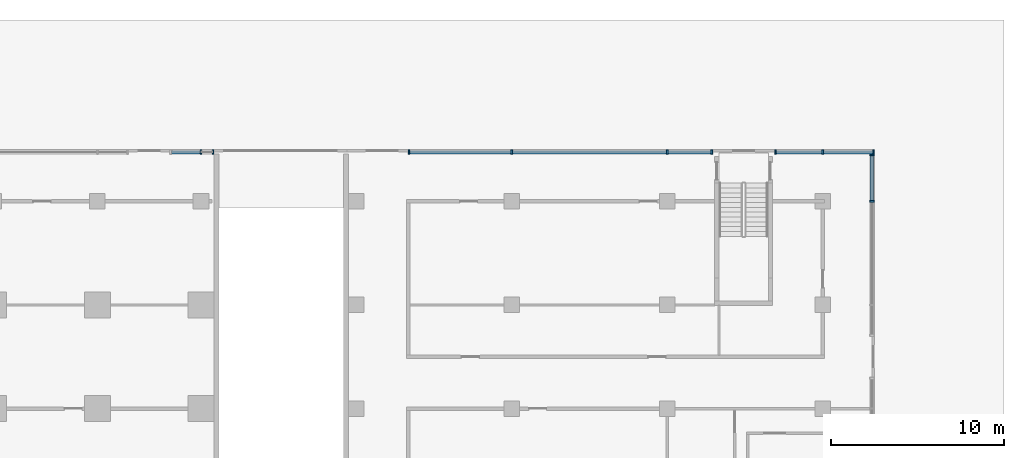
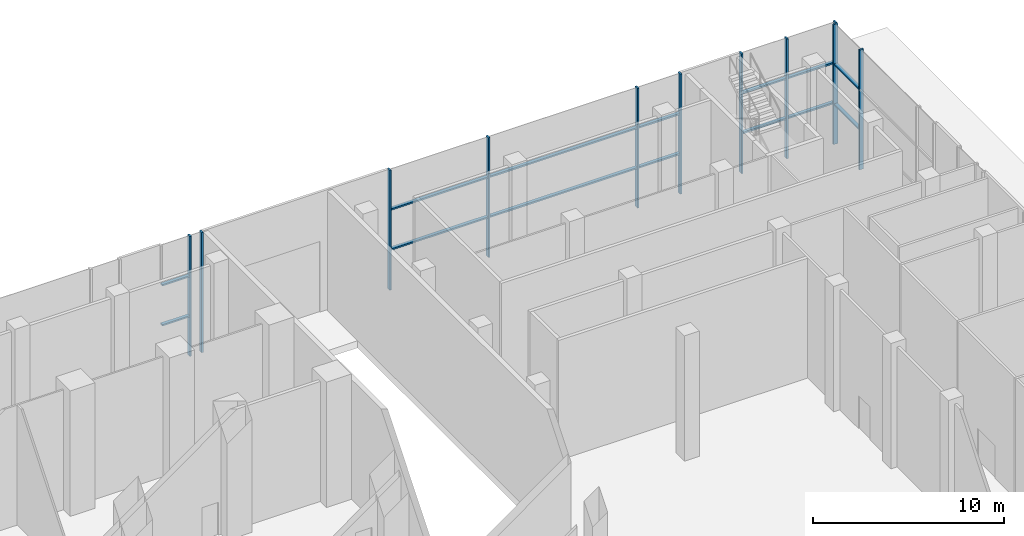
# One storey, part 8 of 29: 25 members, 4 elements without a shape of their own.
"""IFC4 building model written with IfcOpenShell, lengths in metres."""

from ifc_helpers import new_model, si_unit, direction, frame, origin, origin_2d, place, context, subcontext, project, spatial, rectangle, extrude, material, material_profile, profile_set, type_object, element, aggregate, save


model = new_model("IFC4")

# Units and contexts
model_context = context("Model", 3, precision=1e-05, world=origin(), true_north=direction((0.0, 1.0)))
body_context = subcontext(model_context, "Body", "Model", "MODEL_VIEW")
ifc_project = project(units=[si_unit("LENGTHUNIT", "METRE"), si_unit("AREAUNIT", "SQUARE_METRE"), si_unit("VOLUMEUNIT", "CUBIC_METRE"), si_unit("PLANEANGLEUNIT", "RADIAN"), si_unit("MASSUNIT", "GRAM", prefix="KILO")], contexts=[model_context])

# Site, building, storey
site_placement = place(None, origin())
site = spatial("IfcSite", under=ifc_project, at=site_placement, CompositionType="ELEMENT")
building_placement = place(site_placement, origin())
building = spatial("IfcBuilding", under=site, at=building_placement, Name="Finial Court Residences", CompositionType="ELEMENT")
storey_placement = place(building_placement, origin())
storey = spatial("IfcBuildingStorey", under=building, at=storey_placement, Name="L00", CompositionType="ELEMENT", Elevation=0.0)

# Curtain wall, members
ifc_material = material(Name="Bronze anodised aluminium", Category="aluminium")
curtain_wall_type = type_object("IfcCurtainWallType", Name="Podium shopfront", PredefinedType="NOTDEFINED", material=ifc_material)
curtain_wall_1_placement = place(storey_placement, origin())
curtain_wall_1 = element("IfcCurtainWall", 1, at=curtain_wall_1_placement, inside=storey, type_object=curtain_wall_type, Name="E-L00-CW-N6", PredefinedType="NOTDEFINED")
ifc_material_profile_1 = material_profile(ifc_material, rectangle(XDim=0.25, YDim=0.10009765625, at=origin_2d()), Name="CW4 mullion 100 x 250")
ifc_profile_set_1 = profile_set([ifc_material_profile_1], Name="Bronze anodised aluminium")
member_type_1 = type_object("IfcMemberType", Name="CW4 mullion 100 x 250", PredefinedType="MULLION", material=ifc_profile_set_1)
member_1_placement = place(storey_placement, frame((22.5, 34.35009765625, 0.0), z_axis=(0.0, 0.0, 1.0), x_axis=(0.0, 1.0, 0.0)))
member_1 = element("IfcMember", 2, at=member_1_placement, type_object=member_type_1, Name="CW4 mullion 2", PredefinedType="MULLION", context=body_context, shape_type="SweptSolid", body=[
    extrude(rectangle(XDim=0.25, YDim=0.10009765625, at=origin_2d()), origin(), (0.0, 0.0, 1.0), 7.64990234375),
])
member_2_placement = place(storey_placement, frame((23.199951171875, 34.35009765625, 0.0), z_axis=(0.0, 0.0, 1.0), x_axis=(0.0, 1.0, 0.0)))
member_2 = element("IfcMember", 3, at=member_2_placement, type_object=member_type_1, Name="CW4 mullion 3", PredefinedType="MULLION", context=body_context, shape_type="SweptSolid", body=[
    extrude(rectangle(XDim=0.25, YDim=0.10009765625, at=origin_2d()), origin(), (0.0, 0.0, 1.0), 7.64990234375),
])

curtain_wall_2_placement = place(storey_placement, origin())
curtain_wall_2 = element("IfcCurtainWall", 4, at=curtain_wall_2_placement, inside=storey, type_object=curtain_wall_type, Name="E-L00-CW-N7", PredefinedType="NOTDEFINED")
member_3_placement = place(storey_placement, frame((34.550048828125, 34.35009765625, 0.0), z_axis=(0.0, 0.0, 1.0), x_axis=(0.0, 1.0, 0.0)))
member_3 = element("IfcMember", 5, at=member_3_placement, type_object=member_type_1, Name="CW4 mullion 1", PredefinedType="MULLION", context=body_context, shape_type="SweptSolid", body=[
    extrude(rectangle(XDim=0.25, YDim=0.10009765625, at=origin_2d()), origin(), (0.0, 0.0, 1.0), 7.64990234375),
])
member_4_placement = place(storey_placement, frame((40.5, 34.35009765625, 0.0), z_axis=(0.0, 0.0, 1.0), x_axis=(0.0, 1.0, 0.0)))
member_4 = element("IfcMember", 6, at=member_4_placement, type_object=member_type_1, Name="CW4 mullion 2", PredefinedType="MULLION", context=body_context, shape_type="SweptSolid", body=[
    extrude(rectangle(XDim=0.25, YDim=0.10009765625, at=origin_2d()), origin(), (0.0, 0.0, 1.0), 7.64990234375),
])
member_5_placement = place(storey_placement, frame((49.5, 34.35009765625, 0.0), z_axis=(0.0, 0.0, 1.0), x_axis=(0.0, 1.0, 0.0)))
member_5 = element("IfcMember", 7, at=member_5_placement, type_object=member_type_1, Name="CW4 mullion 3", PredefinedType="MULLION", context=body_context, shape_type="SweptSolid", body=[
    extrude(rectangle(XDim=0.25, YDim=0.10009765625, at=origin_2d()), origin(), (0.0, 0.0, 1.0), 7.64990234375),
])
member_6_placement = place(storey_placement, frame((52.074951171875, 34.35009765625, 0.0), z_axis=(0.0, 0.0, 1.0), x_axis=(0.0, 1.0, 0.0)))
member_6 = element("IfcMember", 8, at=member_6_placement, type_object=member_type_1, Name="CW4 mullion 4", PredefinedType="MULLION", context=body_context, shape_type="SweptSolid", body=[
    extrude(rectangle(XDim=0.25, YDim=0.10009765625, at=origin_2d()), origin(), (0.0, 0.0, 1.0), 7.64990234375),
])

curtain_wall_3_placement = place(storey_placement, origin())
curtain_wall_3 = element("IfcCurtainWall", 9, at=curtain_wall_3_placement, inside=storey, type_object=curtain_wall_type, Name="E-L00-CW-N8", PredefinedType="NOTDEFINED")
member_7_placement = place(storey_placement, frame((55.77490234375, 34.35009765625, 0.0), z_axis=(0.0, 0.0, 1.0), x_axis=(0.0, 1.0, 0.0)))
member_7 = element("IfcMember", 10, at=member_7_placement, type_object=member_type_1, Name="CW4 mullion 1", PredefinedType="MULLION", context=body_context, shape_type="SweptSolid", body=[
    extrude(rectangle(XDim=0.25, YDim=0.10009765625, at=origin_2d()), origin(), (0.0, 0.0, 1.0), 7.64990234375),
])
member_8_placement = place(storey_placement, frame((58.5, 34.35009765625, 0.0), z_axis=(0.0, 0.0, 1.0), x_axis=(0.0, 1.0, 0.0)))
member_8 = element("IfcMember", 11, at=member_8_placement, type_object=member_type_1, Name="CW4 mullion 2", PredefinedType="MULLION", context=body_context, shape_type="SweptSolid", body=[
    extrude(rectangle(XDim=0.25, YDim=0.10009765625, at=origin_2d()), origin(), (0.0, 0.0, 1.0), 7.64990234375),
])
member_9_placement = place(storey_placement, frame((61.449951171875, 34.35009765625, 0.0), z_axis=(0.0, 0.0, 1.0), x_axis=(0.0, 1.0, 0.0)))
member_9 = element("IfcMember", 12, at=member_9_placement, type_object=member_type_1, Name="CW4 mullion 3", PredefinedType="MULLION", context=body_context, shape_type="SweptSolid", body=[
    extrude(rectangle(XDim=0.25, YDim=0.10009765625, at=origin_2d()), origin(), (0.0, 0.0, 1.0), 7.64990234375),
])

curtain_wall_4_placement = place(storey_placement, origin())
curtain_wall_4 = element("IfcCurtainWall", 13, at=curtain_wall_4_placement, inside=storey, type_object=curtain_wall_type, Name="E-L00-CW-E16", PredefinedType="NOTDEFINED")
member_10_placement = place(storey_placement, frame((61.35009765625, 31.5, 0.0), z_axis=(0.0, 0.0, 1.0), x_axis=(-1.0, 0.0, 0.0)))
member_10 = element("IfcMember", 14, at=member_10_placement, type_object=member_type_1, Name="CW4 mullion 3", PredefinedType="MULLION", context=body_context, shape_type="SweptSolid", body=[
    extrude(rectangle(XDim=0.25, YDim=0.10009765625, at=origin_2d()), origin(), (0.0, 0.0, 1.0), 7.64990234375),
])
member_11_placement = place(storey_placement, frame((61.35009765625, 34.175048828125, 0.0), z_axis=(0.0, 0.0, 1.0), x_axis=(-1.0, 0.0, 0.0)))
member_11 = element("IfcMember", 15, at=member_11_placement, type_object=member_type_1, Name="CW4 mullion 4", PredefinedType="MULLION", context=body_context, shape_type="SweptSolid", body=[
    extrude(rectangle(XDim=0.25, YDim=0.10009765625, at=origin_2d()), origin(), (0.0, 0.0, 1.0), 7.64990234375),
])

# Member
ifc_material_profile_2 = material_profile(ifc_material, rectangle(XDim=0.199951171875, YDim=0.10009765625, at=origin_2d()), Name="CW4 transom 100 x 200")
ifc_profile_set_2 = profile_set([ifc_material_profile_2], Name="Bronze anodised aluminium")
member_type_2 = type_object("IfcMemberType", Name="CW4 transom 100 x 200", PredefinedType="USERDEFINED", material=ifc_profile_set_2)
member_12_placement = place(storey_placement, frame((20.800048828125, 34.35009765625, 2.550048828125), z_axis=(1.0, 0.0, 0.0), x_axis=(0.0, 1.0, 0.0)))
member_12 = element("IfcMember", 16, at=member_12_placement, type_object=member_type_2, Name="CW4 transom 1.1", ObjectType="TRANSOM", PredefinedType="USERDEFINED", context=body_context, shape_type="SweptSolid", body=[
    extrude(rectangle(XDim=0.199951171875, YDim=0.10009765625, at=origin_2d()), origin(), (0.0, 0.0, 1.0), 1.64990234375),
])

member_13_placement = place(storey_placement, frame((20.800048828125, 34.35009765625, 5.10009765625), z_axis=(1.0, 0.0, 0.0), x_axis=(0.0, 1.0, 0.0)))
member_13 = element("IfcMember", 17, at=member_13_placement, type_object=member_type_2, Name="CW4 transom 1.2", ObjectType="TRANSOM", PredefinedType="USERDEFINED", context=body_context, shape_type="SweptSolid", body=[
    extrude(rectangle(XDim=0.199951171875, YDim=0.10009765625, at=origin_2d()), origin(), (0.0, 0.0, 1.0), 1.64990234375),
])

aggregate(curtain_wall_1, [member_1, member_2, member_12, member_13])

member_14_placement = place(storey_placement, frame((34.60009765625, 34.35009765625, 2.550048828125), z_axis=(1.0, 0.0, 0.0), x_axis=(0.0, 1.0, 0.0)))
member_14 = element("IfcMember", 18, at=member_14_placement, type_object=member_type_2, Name="CW4 transom 1.1", ObjectType="TRANSOM", PredefinedType="USERDEFINED", context=body_context, shape_type="SweptSolid", body=[
    extrude(rectangle(XDim=0.199951171875, YDim=0.10009765625, at=origin_2d()), origin(), (0.0, 0.0, 1.0), 5.849853515625),
])

member_15_placement = place(storey_placement, frame((34.60009765625, 34.35009765625, 5.10009765625), z_axis=(1.0, 0.0, 0.0), x_axis=(0.0, 1.0, 0.0)))
member_15 = element("IfcMember", 19, at=member_15_placement, type_object=member_type_2, Name="CW4 transom 1.2", ObjectType="TRANSOM", PredefinedType="USERDEFINED", context=body_context, shape_type="SweptSolid", body=[
    extrude(rectangle(XDim=0.199951171875, YDim=0.10009765625, at=origin_2d()), origin(), (0.0, 0.0, 1.0), 5.849853515625),
])

member_16_placement = place(storey_placement, frame((40.550048828125, 34.35009765625, 2.550048828125), z_axis=(1.0, 0.0, 0.0), x_axis=(0.0, 1.0, 0.0)))
member_16 = element("IfcMember", 20, at=member_16_placement, type_object=member_type_2, Name="CW4 transom 2.1", ObjectType="TRANSOM", PredefinedType="USERDEFINED", context=body_context, shape_type="SweptSolid", body=[
    extrude(rectangle(XDim=0.199951171875, YDim=0.10009765625, at=origin_2d()), origin(), (0.0, 0.0, 1.0), 8.89990234375),
])

member_17_placement = place(storey_placement, frame((40.550048828125, 34.35009765625, 5.10009765625), z_axis=(1.0, 0.0, 0.0), x_axis=(0.0, 1.0, 0.0)))
member_17 = element("IfcMember", 21, at=member_17_placement, type_object=member_type_2, Name="CW4 transom 2.2", ObjectType="TRANSOM", PredefinedType="USERDEFINED", context=body_context, shape_type="SweptSolid", body=[
    extrude(rectangle(XDim=0.199951171875, YDim=0.10009765625, at=origin_2d()), origin(), (0.0, 0.0, 1.0), 8.89990234375),
])

member_18_placement = place(storey_placement, frame((49.550048828125, 34.35009765625, 2.550048828125), z_axis=(1.0, 0.0, 0.0), x_axis=(0.0, 1.0, 0.0)))
member_18 = element("IfcMember", 22, at=member_18_placement, type_object=member_type_2, Name="CW4 transom 3.1", ObjectType="TRANSOM", PredefinedType="USERDEFINED", context=body_context, shape_type="SweptSolid", body=[
    extrude(rectangle(XDim=0.199951171875, YDim=0.10009765625, at=origin_2d()), origin(), (0.0, 0.0, 1.0), 2.474853515625),
])

member_19_placement = place(storey_placement, frame((49.550048828125, 34.35009765625, 5.10009765625), z_axis=(1.0, 0.0, 0.0), x_axis=(0.0, 1.0, 0.0)))
member_19 = element("IfcMember", 23, at=member_19_placement, type_object=member_type_2, Name="CW4 transom 3.2", ObjectType="TRANSOM", PredefinedType="USERDEFINED", context=body_context, shape_type="SweptSolid", body=[
    extrude(rectangle(XDim=0.199951171875, YDim=0.10009765625, at=origin_2d()), origin(), (0.0, 0.0, 1.0), 2.474853515625),
])

aggregate(curtain_wall_2, [member_3, member_4, member_5, member_6, member_14, member_15, member_16, member_17, member_18, member_19])

member_20_placement = place(storey_placement, frame((55.824951171875, 34.35009765625, 2.550048828125), z_axis=(1.0, 0.0, 0.0), x_axis=(0.0, 1.0, 0.0)))
member_20 = element("IfcMember", 24, at=member_20_placement, type_object=member_type_2, Name="CW4 transom 1.1", ObjectType="TRANSOM", PredefinedType="USERDEFINED", context=body_context, shape_type="SweptSolid", body=[
    extrude(rectangle(XDim=0.199951171875, YDim=0.10009765625, at=origin_2d()), origin(), (0.0, 0.0, 1.0), 2.625),
])

member_21_placement = place(storey_placement, frame((55.824951171875, 34.35009765625, 5.10009765625), z_axis=(1.0, 0.0, 0.0), x_axis=(0.0, 1.0, 0.0)))
member_21 = element("IfcMember", 25, at=member_21_placement, type_object=member_type_2, Name="CW4 transom 1.2", ObjectType="TRANSOM", PredefinedType="USERDEFINED", context=body_context, shape_type="SweptSolid", body=[
    extrude(rectangle(XDim=0.199951171875, YDim=0.10009765625, at=origin_2d()), origin(), (0.0, 0.0, 1.0), 2.625),
])

member_22_placement = place(storey_placement, frame((58.550048828125, 34.35009765625, 2.550048828125), z_axis=(1.0, 0.0, 0.0), x_axis=(0.0, 1.0, 0.0)))
member_22 = element("IfcMember", 26, at=member_22_placement, type_object=member_type_2, Name="CW4 transom 2.1", ObjectType="TRANSOM", PredefinedType="USERDEFINED", context=body_context, shape_type="SweptSolid", body=[
    extrude(rectangle(XDim=0.199951171875, YDim=0.10009765625, at=origin_2d()), origin(), (0.0, 0.0, 1.0), 2.849853515625),
])

member_23_placement = place(storey_placement, frame((58.550048828125, 34.35009765625, 5.10009765625), z_axis=(1.0, 0.0, 0.0), x_axis=(0.0, 1.0, 0.0)))
member_23 = element("IfcMember", 27, at=member_23_placement, type_object=member_type_2, Name="CW4 transom 2.2", ObjectType="TRANSOM", PredefinedType="USERDEFINED", context=body_context, shape_type="SweptSolid", body=[
    extrude(rectangle(XDim=0.199951171875, YDim=0.10009765625, at=origin_2d()), origin(), (0.0, 0.0, 1.0), 2.849853515625),
])

aggregate(curtain_wall_3, [member_7, member_8, member_9, member_20, member_21, member_22, member_23])

member_24_placement = place(storey_placement, frame((61.35009765625, 31.550048828125, 2.550048828125), z_axis=(0.0, 1.0, 0.0), x_axis=(-1.0, 0.0, 0.0)))
member_24 = element("IfcMember", 28, at=member_24_placement, type_object=member_type_2, Name="CW4 transom 3.1", ObjectType="TRANSOM", PredefinedType="USERDEFINED", context=body_context, shape_type="SweptSolid", body=[
    extrude(rectangle(XDim=0.199951171875, YDim=0.10009765625, at=origin_2d()), origin(), (0.0, 0.0, 1.0), 2.574951171875),
])

member_25_placement = place(storey_placement, frame((61.35009765625, 31.550048828125, 5.10009765625), z_axis=(0.0, 1.0, 0.0), x_axis=(-1.0, 0.0, 0.0)))
member_25 = element("IfcMember", 29, at=member_25_placement, type_object=member_type_2, Name="CW4 transom 3.2", ObjectType="TRANSOM", PredefinedType="USERDEFINED", context=body_context, shape_type="SweptSolid", body=[
    extrude(rectangle(XDim=0.199951171875, YDim=0.10009765625, at=origin_2d()), origin(), (0.0, 0.0, 1.0), 2.574951171875),
])

aggregate(curtain_wall_4, [member_10, member_11, member_24, member_25])

save(model, "model.ifc")
